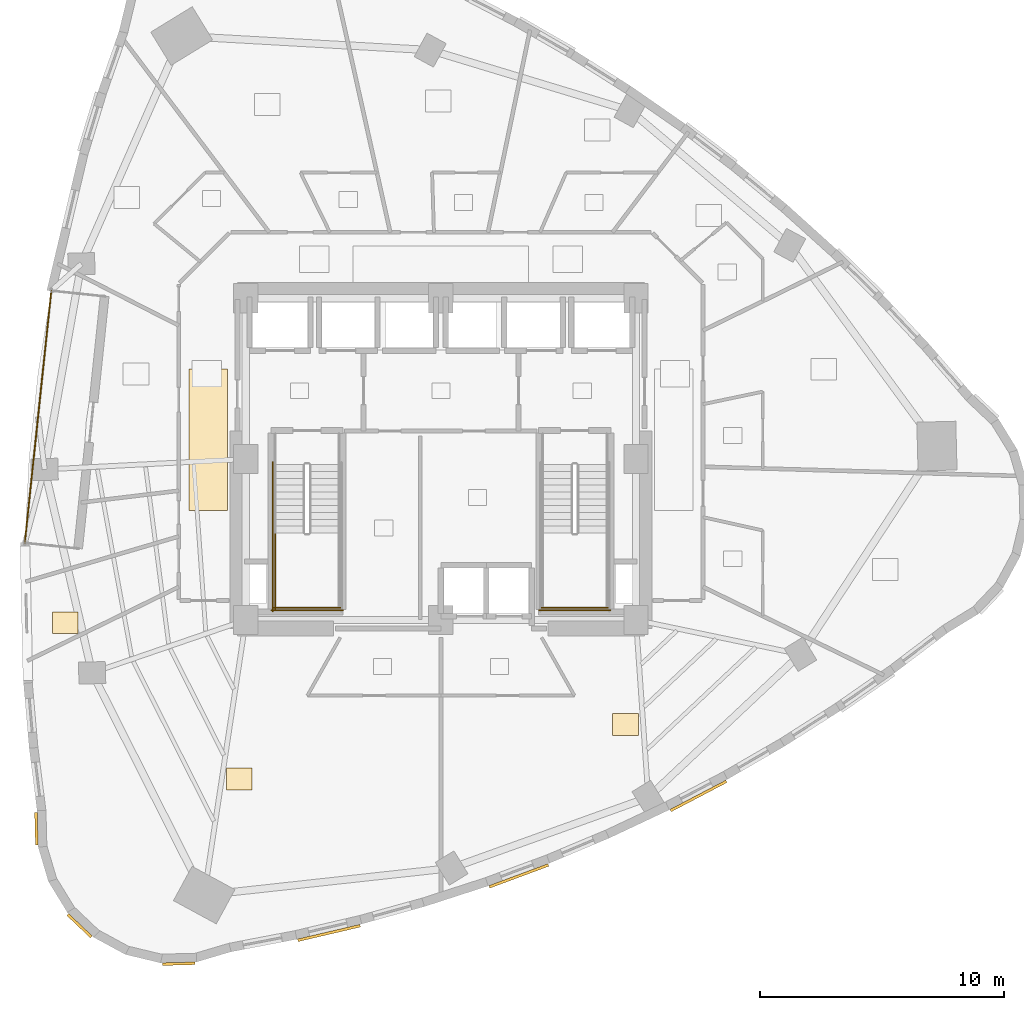
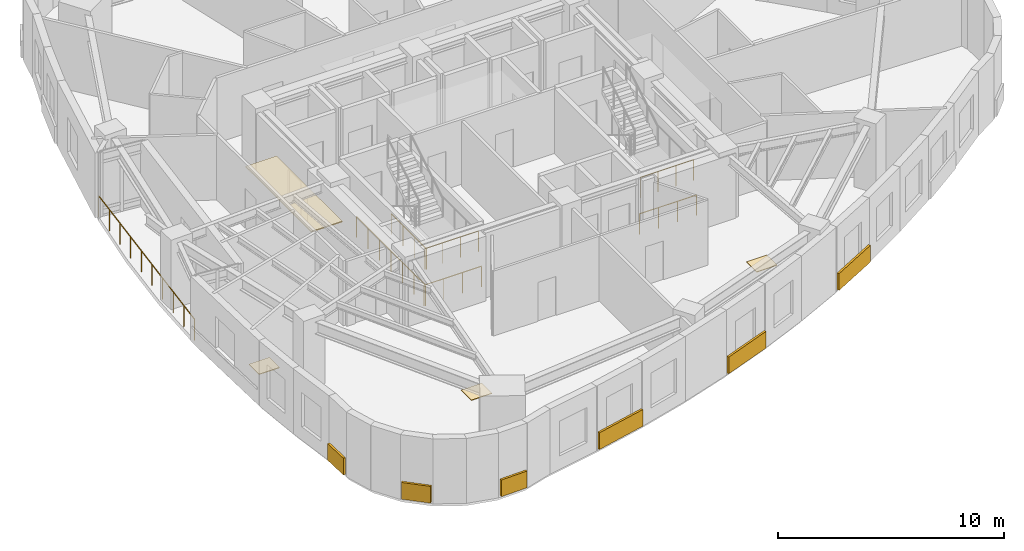
# One storey, part 10 of 12: 10 coverings, 7 railings.
"""IFC4 building model written with IfcOpenShell, lengths in metres."""

from ifc_helpers import new_model, si_unit, direction, frame, origin, origin_2d, place, context, subcontext, project, spatial, rectangle, circle, extrude, material, layer, layer_set, type_object, element, save


model = new_model("IFC4")

# Units and contexts
model_context = context("Model", 3, precision=1e-05, world=origin(), true_north=direction((0.0, 1.0)))
body_context = subcontext(model_context, "Body", "Model", "MODEL_VIEW")
ifc_project = project(units=[si_unit("LENGTHUNIT", "METRE"), si_unit("AREAUNIT", "SQUARE_METRE"), si_unit("VOLUMEUNIT", "CUBIC_METRE"), si_unit("PLANEANGLEUNIT", "RADIAN"), si_unit("MASSUNIT", "GRAM", prefix="KILO")], contexts=[model_context])

# Site, building, storey
site_placement = place(None, origin())
site = spatial("IfcSite", under=ifc_project, at=site_placement, CompositionType="ELEMENT")
building_placement = place(site_placement, origin())
building = spatial("IfcBuilding", under=site, at=building_placement, Name="Ndelora Gate Hotel", CompositionType="ELEMENT")
storey_placement = place(building_placement, frame((0.0, 0.0, 101.0)))
storey = spatial("IfcBuildingStorey", under=building, at=storey_placement, Name="L24", CompositionType="ELEMENT", Elevation=101.0)

# Coverings
ifc_material_1 = material(Name="Perforated Acoustic Gypsum Board", Category="gypsum")
ifc_layer_1 = layer(ifc_material_1, 0.054931640625)
ifc_layer_set_1 = layer_set([ifc_layer_1], Name="Perforated Acoustic Gypsum Board")
covering_type_1 = type_object("IfcCoveringType", Name="COV-CEIL-AC60", PredefinedType="CEILING", material=ifc_layer_set_1)
covering_1_placement = place(storey_placement, frame((-9.550048828125, 0.800048828125, 2.65234375), z_axis=(0.0, 0.0, 1.0), x_axis=(1.0, 0.0, 0.0)))
element("IfcCovering", 1, at=covering_1_placement, inside=storey, type_object=covering_type_1, Name="L24 Guest Corridor Acoustic Ceiling W", PredefinedType="CEILING", context=body_context, shape_type="SweptSolid", body=[
    extrude(rectangle(XDim=1.580078125, YDim=5.800048828125, at=origin_2d()), origin(), (0.0, 0.0, 1.0), 0.054931640625),
])
ifc_material_2 = material(Name="Terracotta Fired Clay Brick Slip Cladding", Category="masonry")
ifc_layer_2 = layer(ifc_material_2, 0.110107421875)
ifc_layer_set_2 = layer_set([ifc_layer_2], Name="Terracotta Fired Clay Brick Slip Cladding")
covering_type_2 = type_object("IfcCoveringType", Name="COV-CLAD-BRK", PredefinedType="CLADDING", material=ifc_layer_set_2)
for number, where, z_axis, x_axis, name in (
    (2, (-16.593994140625, -15.164306640625, 0.10009765625), (0.0, 0.0, 1.0), (-0.026176948308, 0.999657324976, 0.0), "L24 Rounded-Corner Brick Cladding Band 19"),
    (3, (-14.82373046875, -19.140380859375, 0.10009765625), (0.0, 0.0, 1.0), (-0.725374371012, 0.688354575694, 0.0), "L24 Rounded-Corner Brick Cladding Band 22"),
    (4, (-10.7607421875, -20.7001953125, 0.10009765625), (0.0, 0.0, 1.0), (0.999657324976, 0.026176948308, 0.0), "L24 Rounded-Corner Brick Cladding Band 25"),
):
    element("IfcCovering", number, at=place(storey_placement, frame(where, z_axis=z_axis, x_axis=x_axis)), inside=storey, type_object=covering_type_2, Name=name, PredefinedType="CLADDING", context=body_context, shape_type="SweptSolid", body=[
        extrude(rectangle(XDim=1.3359375, YDim=0.110107421875, at=origin_2d()), origin(), (0.0, 0.0, 1.0), 0.89990234375),
    ])
covering_2_placement = place(storey_placement, frame((-4.589111328125, -19.439453125, 0.10009765625), z_axis=(0.0, 0.0, 1.0), x_axis=(0.973698333648, 0.227841074111, 0.0)))
element("IfcCovering", 5, at=covering_2_placement, inside=storey, type_object=covering_type_2, Name="L24 Rounded-Corner Brick Cladding Band 28", PredefinedType="CLADDING", context=body_context, shape_type="SweptSolid", body=[
    extrude(rectangle(XDim=2.6279296875, YDim=0.110107421875, at=origin_2d()), origin(), (0.0, 0.0, 1.0), 0.89990234375),
])
for number, where, z_axis, x_axis, name in (
    (6, (3.19775390625, -17.098388671875, 0.10009765625), (0.0, 0.0, 1.0), (0.937585819058, 0.347753981862, 0.0), "L24 Rounded-Corner Brick Cladding Band 31"),
    (7, (10.56689453125, -13.8173828125, 0.10009765625), (0.0, 0.0, 1.0), (0.88579893978, 0.464069217127, 0.0), "L24 Rounded-Corner Brick Cladding Band 34"),
):
    element("IfcCovering", number, at=place(storey_placement, frame(where, z_axis=z_axis, x_axis=x_axis)), inside=storey, type_object=covering_type_2, Name=name, PredefinedType="CLADDING", context=body_context, shape_type="SweptSolid", body=[
        extrude(rectangle(XDim=2.583984375, YDim=0.110107421875, at=origin_2d()), origin(), (0.0, 0.0, 1.0), 0.89990234375),
    ])
ifc_material_3 = material(Name="Engineered Highland Oak Parquet", Category="wood")
ifc_layer_3 = layer(ifc_material_3, 0.030029296875)
ifc_layer_set_3 = layer_set([ifc_layer_3], Name="Engineered Highland Oak Parquet")
covering_type_3 = type_object("IfcCoveringType", Name="COV-FLR-PARQ", PredefinedType="FLOORING", material=ifc_layer_set_3)
for number, where, z_axis, x_axis, name in (
    (8, (-8.272705078125, -13.125732421875, 0.0), (0.0, 0.0, 1.0), (1.0, 0.0, 0.0), "L24 Club King Corner Suite 2701 Oak Parquet Flooring"),
    (9, (7.570068359375, -10.87744140625, 0.0), (0.0, 0.0, 1.0), (1.0, 0.0, 0.0), "L24 Club Twin Corner Suite 2702 Oak Parquet Flooring"),
    (10, (-15.40478515625, -6.713134765625, 0.0), (0.0, 0.0, 1.0), (1.0, 0.0, 0.0), "L24 Female Public Restroom Oak Parquet Flooring"),
):
    element("IfcCovering", number, at=place(storey_placement, frame(where, z_axis=z_axis, x_axis=x_axis)), inside=storey, type_object=covering_type_3, Name=name, PredefinedType="FLOORING", context=body_context, shape_type="SweptSolid", body=[
        extrude(rectangle(XDim=1.050048828125, YDim=0.89990234375, at=origin_2d()), origin(), (0.0, 0.0, 1.0), 0.030029296875),
    ])

# Railings
ifc_material_4 = material(Name="Laminated Safety Glass and Bronze Top Rail", Category="glass")
ifc_layer_4 = layer(ifc_material_4, 0.070068359375)
ifc_layer_set_4 = layer_set([ifc_layer_4], Name="Laminated Safety Glass and Bronze Top Rail")
railing_type_1 = type_object("IfcRailingType", Name="RL-BAL-1150", PredefinedType="BALUSTRADE", material=ifc_layer_set_4)
railing_1_placement = place(storey_placement, frame((-15.98095703125, 6.908203125, 0.0)))
element("IfcRailing", 11, at=railing_1_placement, inside=storey, type_object=railing_type_1, Name="L24 Sky-Garden Loggia Terrace Balustrade", PredefinedType="BALUSTRADE", context=body_context, shape_type="SweptSolid", body=[
    extrude(circle(Radius=0.02392578125, at=origin_2d()), frame((0.0, 0.0, 1.1357421875), z_axis=(-0.104534478571, -0.994521263116, 0.0), x_axis=(0.994521263116, -0.104534478571, 0.0)), (0.0, 0.0, 1.0), 10.39990234375),
    extrude(circle(Radius=0.02099609375, at=origin_2d()), origin(), (0.0, 0.0, 1.0), 1.11181640625),
    extrude(circle(Radius=0.02099609375, at=origin_2d()), frame((-0.120849609375, -1.149169921875, 0.0)), (0.0, 0.0, 1.0), 1.11181640625),
    extrude(circle(Radius=0.02099609375, at=origin_2d()), frame((-0.24169921875, -2.29833984375, 0.0)), (0.0, 0.0, 1.0), 1.11181640625),
    extrude(circle(Radius=0.02099609375, at=origin_2d()), frame((-0.3623046875, -3.44775390625, 0.0)), (0.0, 0.0, 1.0), 1.11181640625),
    extrude(circle(Radius=0.02099609375, at=origin_2d()), frame((-0.483154296875, -4.596923828125, 0.0)), (0.0, 0.0, 1.0), 1.11181640625),
    extrude(circle(Radius=0.02099609375, at=origin_2d()), frame((-0.60400390625, -5.74609375, 0.0)), (0.0, 0.0, 1.0), 1.11181640625),
    extrude(circle(Radius=0.02099609375, at=origin_2d()), frame((-0.724853515625, -6.895263671875, 0.0)), (0.0, 0.0, 1.0), 1.11181640625),
    extrude(circle(Radius=0.02099609375, at=origin_2d()), frame((-0.845458984375, -8.044677734375, 0.0)), (0.0, 0.0, 1.0), 1.11181640625),
    extrude(circle(Radius=0.02099609375, at=origin_2d()), frame((-0.96630859375, -9.19384765625, 0.0)), (0.0, 0.0, 1.0), 1.11181640625),
    extrude(circle(Radius=0.02099609375, at=origin_2d()), frame((-1.087158203125, -10.343017578125, 0.0)), (0.0, 0.0, 1.0), 1.11181640625),
])
ifc_material_5 = material(Name="Painted Galvanized Steel Balustrade", Category="steel")
ifc_layer_5 = layer(ifc_material_5, 0.06005859375)
ifc_layer_set_5 = layer_set([ifc_layer_5], Name="Painted Galvanized Steel Balustrade")
railing_type_2 = type_object("IfcRailingType", Name="RL-STAIR-GD", PredefinedType="GUARDRAIL", material=ifc_layer_set_5)
railing_2_placement = place(storey_placement, frame((-6.800048828125, -3.030029296875, 1.875)))
element("IfcRailing", 12, at=railing_2_placement, inside=storey, type_object=railing_type_2, Name="L24 ST4 stair guard 3", PredefinedType="GUARDRAIL", context=body_context, shape_type="SweptSolid", body=[
    extrude(circle(Radius=0.02392578125, at=origin_2d()), frame((0.0, 0.0, 1.10595703125), z_axis=(0.0, -1.0, 0.0), x_axis=(1.0, 0.0, 0.0)), (0.0, 0.0, 1.0), 3.119873046875),
    extrude(circle(Radius=0.02099609375, at=origin_2d()), origin(), (0.0, 0.0, 1.0), 1.081787109375),
    extrude(circle(Radius=0.02099609375, at=origin_2d()), frame((0.0, -1.0400390625, 0.0)), (0.0, 0.0, 1.0), 1.081787109375),
    extrude(circle(Radius=0.02099609375, at=origin_2d()), frame((0.0, -2.079833984375, 0.0)), (0.0, 0.0, 1.0), 1.081787109375),
    extrude(circle(Radius=0.02099609375, at=origin_2d()), frame((0.0, -3.119873046875, 0.0)), (0.0, 0.0, 1.0), 1.081787109375),
])
railing_3_placement = place(storey_placement, frame((-6.85009765625, -6.10009765625, 1.875)))
element("IfcRailing", 13, at=railing_3_placement, inside=storey, type_object=railing_type_2, Name="L24 ST4 stair guard 5", PredefinedType="GUARDRAIL", context=body_context, shape_type="SweptSolid", body=[
    extrude(circle(Radius=0.02392578125, at=origin_2d()), frame((0.0, 0.0, 1.10595703125), z_axis=(1.0, 0.0, 0.0), x_axis=(0.0, 1.0, 0.0)), (0.0, 0.0, 1.0), 2.72021484375),
    extrude(circle(Radius=0.02099609375, at=origin_2d()), origin(), (0.0, 0.0, 1.0), 1.081787109375),
    extrude(circle(Radius=0.02099609375, at=origin_2d()), frame((0.90673828125, 0.0, 0.0)), (0.0, 0.0, 1.0), 1.081787109375),
    extrude(circle(Radius=0.02099609375, at=origin_2d()), frame((1.8134765625, 0.0, 0.0)), (0.0, 0.0, 1.0), 1.081787109375),
    extrude(circle(Radius=0.02099609375, at=origin_2d()), frame((2.72021484375, 0.0, 0.0)), (0.0, 0.0, 1.0), 1.081787109375),
])
railing_4_placement = place(storey_placement, frame((-6.89990234375, -0.1298828125, 0.0)))
element("IfcRailing", 14, at=railing_4_placement, inside=storey, type_object=railing_type_2, Name="L24 ST4 stair guard 10", PredefinedType="GUARDRAIL", context=body_context, shape_type="SweptSolid", body=[
    extrude(circle(Radius=0.02392578125, at=origin_2d()), frame((0.0, 0.0, 1.10595703125), z_axis=(0.0, -1.0, 0.0), x_axis=(1.0, 0.0, 0.0)), (0.0, 0.0, 1.0), 6.1201171875),
    extrude(circle(Radius=0.02099609375, at=origin_2d()), origin(), (0.0, 0.0, 1.0), 1.081787109375),
    extrude(circle(Radius=0.02099609375, at=origin_2d()), frame((0.0, -1.02001953125, 0.0)), (0.0, 0.0, 1.0), 1.081787109375),
    extrude(circle(Radius=0.02099609375, at=origin_2d()), frame((0.0, -2.0400390625, 0.0)), (0.0, 0.0, 1.0), 1.081787109375),
    extrude(circle(Radius=0.02099609375, at=origin_2d()), frame((0.0, -3.06005859375, 0.0)), (0.0, 0.0, 1.0), 1.081787109375),
    extrude(circle(Radius=0.02099609375, at=origin_2d()), frame((0.0, -4.080078125, 0.0)), (0.0, 0.0, 1.0), 1.081787109375),
    extrude(circle(Radius=0.02099609375, at=origin_2d()), frame((0.0, -5.10009765625, 0.0)), (0.0, 0.0, 1.0), 1.081787109375),
    extrude(circle(Radius=0.02099609375, at=origin_2d()), frame((0.0, -6.1201171875, 0.0)), (0.0, 0.0, 1.0), 1.081787109375),
])
railing_5_placement = place(storey_placement, frame((-6.949951171875, -6.199951171875, 0.0)))
element("IfcRailing", 15, at=railing_5_placement, inside=storey, type_object=railing_type_2, Name="L24 ST4 stair guard 12", PredefinedType="GUARDRAIL", context=body_context, shape_type="SweptSolid", body=[
    extrude(circle(Radius=0.02392578125, at=origin_2d()), frame((0.0, 0.0, 1.10595703125), z_axis=(1.0, 0.0, 0.0), x_axis=(0.0, 1.0, 0.0)), (0.0, 0.0, 1.0), 2.919921875),
    extrude(circle(Radius=0.02099609375, at=origin_2d()), origin(), (0.0, 0.0, 1.0), 1.081787109375),
    extrude(circle(Radius=0.02099609375, at=origin_2d()), frame((0.973388671875, 0.0, 0.0)), (0.0, 0.0, 1.0), 1.081787109375),
    extrude(circle(Radius=0.02099609375, at=origin_2d()), frame((1.946533203125, 0.0, 0.0)), (0.0, 0.0, 1.0), 1.081787109375),
    extrude(circle(Radius=0.02099609375, at=origin_2d()), frame((2.919921875, 0.0, 0.0)), (0.0, 0.0, 1.0), 1.081787109375),
])
railing_6_placement = place(storey_placement, frame((4.1298828125, -6.10009765625, 1.875)))
element("IfcRailing", 16, at=railing_6_placement, inside=storey, type_object=railing_type_2, Name="L24 ST5 stair guard 5", PredefinedType="GUARDRAIL", context=body_context, shape_type="SweptSolid", body=[
    extrude(circle(Radius=0.02392578125, at=origin_2d()), frame((0.0, 0.0, 1.10595703125), z_axis=(1.0, 0.0, 0.0), x_axis=(0.0, 1.0, 0.0)), (0.0, 0.0, 1.0), 2.72021484375),
    extrude(circle(Radius=0.02099609375, at=origin_2d()), origin(), (0.0, 0.0, 1.0), 1.081787109375),
    extrude(circle(Radius=0.02099609375, at=origin_2d()), frame((0.90673828125, 0.0, 0.0)), (0.0, 0.0, 1.0), 1.081787109375),
    extrude(circle(Radius=0.02099609375, at=origin_2d()), frame((1.8134765625, 0.0, 0.0)), (0.0, 0.0, 1.0), 1.081787109375),
    extrude(circle(Radius=0.02099609375, at=origin_2d()), frame((2.72021484375, 0.0, 0.0)), (0.0, 0.0, 1.0), 1.081787109375),
])
railing_7_placement = place(storey_placement, frame((4.030029296875, -6.199951171875, 0.0)))
element("IfcRailing", 17, at=railing_7_placement, inside=storey, type_object=railing_type_2, Name="L24 ST5 stair guard 12", PredefinedType="GUARDRAIL", context=body_context, shape_type="SweptSolid", body=[
    extrude(circle(Radius=0.02392578125, at=origin_2d()), frame((0.0, 0.0, 1.10595703125), z_axis=(1.0, 0.0, 0.0), x_axis=(0.0, 1.0, 0.0)), (0.0, 0.0, 1.0), 2.919921875),
    extrude(circle(Radius=0.02099609375, at=origin_2d()), origin(), (0.0, 0.0, 1.0), 1.081787109375),
    extrude(circle(Radius=0.02099609375, at=origin_2d()), frame((0.973388671875, 0.0, 0.0)), (0.0, 0.0, 1.0), 1.081787109375),
    extrude(circle(Radius=0.02099609375, at=origin_2d()), frame((1.946533203125, 0.0, 0.0)), (0.0, 0.0, 1.0), 1.081787109375),
    extrude(circle(Radius=0.02099609375, at=origin_2d()), frame((2.919921875, 0.0, 0.0)), (0.0, 0.0, 1.0), 1.081787109375),
])

save(model, "model.ifc")
